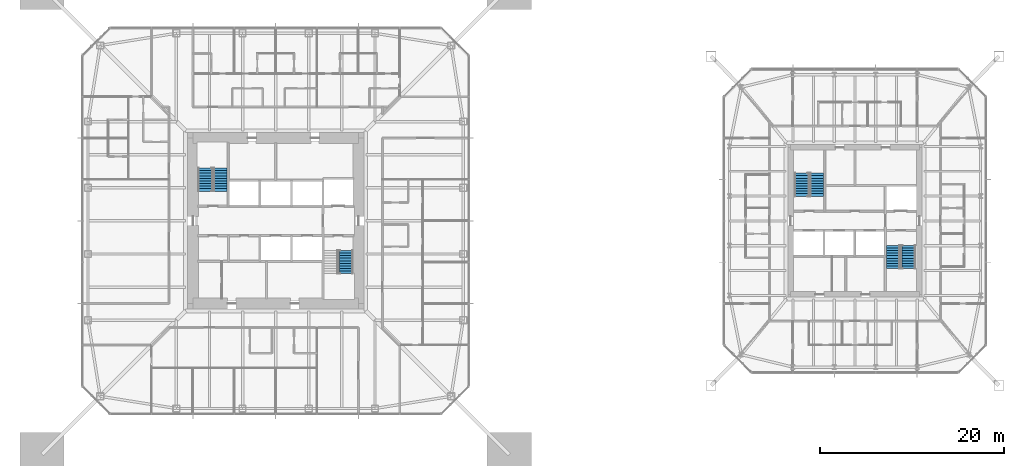
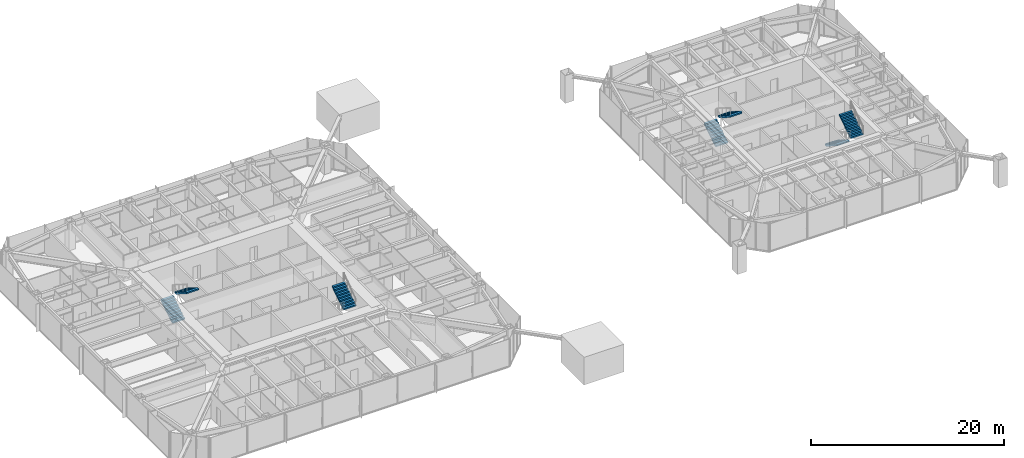
# One storey, part 20 of 25: 7 stair flights, 4 elements without a shape of their own.
"""IFC4 building model written with IfcOpenShell, lengths in metres."""

from ifc_helpers import new_model, si_unit, direction, frame, origin, place, context, subcontext, project, spatial, polyline, outline, extrude, material, constituent, constituent_set, type_object, element, aggregate, save


model = new_model("IFC4")

# Units and contexts
model_context = context("Model", 3, precision=1e-05, world=origin(), true_north=direction((0.0, 1.0)))
body_context = subcontext(model_context, "Body", "Model", "MODEL_VIEW")
ifc_project = project(units=[si_unit("LENGTHUNIT", "METRE"), si_unit("AREAUNIT", "SQUARE_METRE"), si_unit("VOLUMEUNIT", "CUBIC_METRE"), si_unit("PLANEANGLEUNIT", "RADIAN"), si_unit("MASSUNIT", "GRAM", prefix="KILO")], contexts=[model_context])

# Site, building, storey
site_placement = place(None, origin())
site = spatial("IfcSite", under=ifc_project, at=site_placement, CompositionType="ELEMENT")
building_placement = place(site_placement, origin())
building = spatial("IfcBuilding", under=site, at=building_placement, Name="Iwan Alto Co-Living Towers", CompositionType="ELEMENT")
storey_placement = place(building_placement, frame((0.0, 0.0, 119.0)))
storey = spatial("IfcBuildingStorey", under=building, at=storey_placement, Name="L32", CompositionType="ELEMENT", Elevation=119.0)

# Stair, stair flights
ifc_material_1 = material(Name="Steel ASTM A36", Category="steel")
ifc_constituent_1 = constituent(ifc_material_1, Name="Stringers", Category="LoadBearing")
ifc_material_2 = material(Name="Concrete f'c 30 MPa", Category="concrete")
ifc_constituent_2 = constituent(ifc_material_2, Name="Tread fill", Category="Finish")
ifc_constituent_set_1 = constituent_set(constituents=[ifc_constituent_1, ifc_constituent_2], Name="STAIR 3500 TWO-FLIGHT T1 CORE")
stair_type_1 = type_object("IfcStairType", Name="STAIR 3500 TWO-FLIGHT T1 CORE", PredefinedType="HALF_TURN_STAIR", material=ifc_constituent_set_1)
stair_1_placement = place(storey_placement, origin())
stair_1 = element("IfcStair", 1, at=stair_1_placement, inside=storey, type_object=stair_type_1, Name="Stair T1-S1 L32 to L33", PredefinedType="HALF_TURN_STAIR")
ifc_constituent_3 = constituent(ifc_material_1, Name="Stringers", Category="LoadBearing")
ifc_constituent_4 = constituent(ifc_material_2, Name="Tread fill", Category="Finish")
ifc_constituent_set_2 = constituent_set(constituents=[ifc_constituent_3, ifc_constituent_4], Name="STAIR FLIGHT 10 RISERS 280 GOING")
stair_flight_type = type_object("IfcStairFlightType", Name="STAIR FLIGHT 10 RISERS 280 GOING", PredefinedType="STRAIGHT", material=ifc_constituent_set_2)
stair_flight_1_placement = place(storey_placement, frame((-7.68994140625, 3.219970703125, 0.0), z_axis=(0.0, 0.0, 1.0), x_axis=(0.0, 1.0, 0.0)))
stair_flight_1 = element("IfcStairFlight", 2, at=stair_flight_1_placement, type_object=stair_flight_type, Name="T1-S1 flight 1", NumberOfRisers=10, NumberOfTreads=9, PredefinedType="STRAIGHT", RiserHeight=0.175, TreadLength=0.28, context=body_context, shape_type="SweptSolid", body=[
    extrude(outline(polyline([(0.0, 0.0), (0.0, 0.175048828125), (0.280029296875, 0.175048828125), (0.280029296875, 0.35009765625), (0.56005859375, 0.35009765625), (0.56005859375, 0.52490234375), (0.840087890625, 0.52490234375), (0.840087890625, 0.699951171875), (1.1201171875, 0.699951171875), (1.1201171875, 0.875), (1.39990234375, 0.875), (1.39990234375, 1.050048828125), (1.679931640625, 1.050048828125), (1.679931640625, 1.22509765625), (1.9599609375, 1.22509765625), (1.9599609375, 1.39990234375), (2.239990234375, 1.39990234375), (2.239990234375, 1.574951171875), (2.52001953125, 1.574951171875), (2.52001953125, 1.75), (2.52001953125, 1.398193359375), (0.28271484375, 0.0), (0.0, 0.0)])), frame((0.0, 0.739990234375, 0.0), z_axis=(0.0, -1.0, 0.0), x_axis=(1.0, 0.0, 0.0)), (0.0, 0.0, 1.0), 1.47998046875),
])
stair_flight_2_placement = place(storey_placement, frame((-6.010009765625, 5.739990234375, 1.75), z_axis=(0.0, 0.0, 1.0), x_axis=(0.0, -1.0, 0.0)))
stair_flight_2 = element("IfcStairFlight", 3, at=stair_flight_2_placement, type_object=stair_flight_type, Name="T1-S1 flight 2", NumberOfRisers=10, NumberOfTreads=9, PredefinedType="STRAIGHT", RiserHeight=0.175, TreadLength=0.28, context=body_context, shape_type="SweptSolid", body=[
    extrude(outline(polyline([(0.0, 0.0), (0.0, 0.175048828125), (0.280029296875, 0.175048828125), (0.280029296875, 0.35009765625), (0.56005859375, 0.35009765625), (0.56005859375, 0.52490234375), (0.840087890625, 0.52490234375), (0.840087890625, 0.699951171875), (1.1201171875, 0.699951171875), (1.1201171875, 0.875), (1.39990234375, 0.875), (1.39990234375, 1.050048828125), (1.679931640625, 1.050048828125), (1.679931640625, 1.22509765625), (1.9599609375, 1.22509765625), (1.9599609375, 1.39990234375), (2.239990234375, 1.39990234375), (2.239990234375, 1.574951171875), (2.52001953125, 1.574951171875), (2.52001953125, 1.75), (2.52001953125, 1.398193359375), (0.28271484375, 0.0), (0.0, 0.0)])), frame((0.0, 0.739990234375, 0.0), z_axis=(0.0, -1.0, 0.0), x_axis=(1.0, 0.0, 0.0)), (0.0, 0.0, 1.0), 1.47998046875),
])
aggregate(stair_1, [stair_flight_1, stair_flight_2])

# Stair, stair flight
stair_2_placement = place(storey_placement, origin())
stair_2 = element("IfcStair", 4, at=stair_2_placement, inside=storey, type_object=stair_type_1, Name="Stair T1-S2 L32 to L33", PredefinedType="HALF_TURN_STAIR")
stair_flight_3_placement = place(storey_placement, frame((7.68994140625, -5.739990234375, 1.75), z_axis=(0.0, 0.0, 1.0), x_axis=(0.0, 1.0, 0.0)))
stair_flight_3 = element("IfcStairFlight", 5, at=stair_flight_3_placement, type_object=stair_flight_type, Name="T1-S2 flight 2", NumberOfRisers=10, NumberOfTreads=9, PredefinedType="STRAIGHT", RiserHeight=0.175, TreadLength=0.28, context=body_context, shape_type="SweptSolid", body=[
    extrude(outline(polyline([(0.0, 0.0), (0.0, 0.175048828125), (0.280029296875, 0.175048828125), (0.280029296875, 0.35009765625), (0.56005859375, 0.35009765625), (0.56005859375, 0.52490234375), (0.840087890625, 0.52490234375), (0.840087890625, 0.699951171875), (1.1201171875, 0.699951171875), (1.1201171875, 0.875), (1.39990234375, 0.875), (1.39990234375, 1.050048828125), (1.679931640625, 1.050048828125), (1.679931640625, 1.22509765625), (1.9599609375, 1.22509765625), (1.9599609375, 1.39990234375), (2.239990234375, 1.39990234375), (2.239990234375, 1.574951171875), (2.52001953125, 1.574951171875), (2.52001953125, 1.75), (2.52001953125, 1.398193359375), (0.28271484375, 0.0), (0.0, 0.0)])), frame((0.0, 0.739990234375, 0.0), z_axis=(0.0, -1.0, 0.0), x_axis=(1.0, 0.0, 0.0)), (0.0, 0.0, 1.0), 1.47998046875),
])
aggregate(stair_2, [stair_flight_3])

# Stair, stair flights
ifc_constituent_5 = constituent(ifc_material_1, Name="Stringers", Category="LoadBearing")
ifc_constituent_6 = constituent(ifc_material_2, Name="Tread fill", Category="Finish")
ifc_constituent_set_3 = constituent_set(constituents=[ifc_constituent_5, ifc_constituent_6], Name="STAIR 3500 TWO-FLIGHT T2 CORE")
stair_type_2 = type_object("IfcStairType", Name="STAIR 3500 TWO-FLIGHT T2 CORE", PredefinedType="HALF_TURN_STAIR", material=ifc_constituent_set_3)
stair_3_placement = place(storey_placement, origin())
stair_3 = element("IfcStair", 6, at=stair_3_placement, inside=storey, type_object=stair_type_2, Name="Stair T2-S1 L32 to L33", PredefinedType="HALF_TURN_STAIR")
stair_flight_4_placement = place(storey_placement, frame((57.159912109375, 2.669921875, 0.0), z_axis=(0.0, 0.0, 1.0), x_axis=(0.0, 1.0, 0.0)))
stair_flight_4 = element("IfcStairFlight", 7, at=stair_flight_4_placement, type_object=stair_flight_type, Name="T2-S1 flight 1", NumberOfRisers=10, NumberOfTreads=9, PredefinedType="STRAIGHT", RiserHeight=0.175, TreadLength=0.28, context=body_context, shape_type="SweptSolid", body=[
    extrude(outline(polyline([(0.0, 0.0), (0.0, 0.175048828125), (0.280029296875, 0.175048828125), (0.280029296875, 0.35009765625), (0.56005859375, 0.35009765625), (0.56005859375, 0.52490234375), (0.840087890625, 0.52490234375), (0.840087890625, 0.699951171875), (1.1201171875, 0.699951171875), (1.1201171875, 0.875), (1.39990234375, 0.875), (1.39990234375, 1.050048828125), (1.679931640625, 1.050048828125), (1.679931640625, 1.22509765625), (1.9599609375, 1.22509765625), (1.9599609375, 1.39990234375), (2.239990234375, 1.39990234375), (2.239990234375, 1.574951171875), (2.52001953125, 1.574951171875), (2.52001953125, 1.75), (2.52001953125, 1.398193359375), (0.28271484375, 0.0), (0.0, 0.0)])), frame((0.0, 0.739990234375, 0.0), z_axis=(0.0, -1.0, 0.0), x_axis=(1.0, 0.0, 0.0)), (0.0, 0.0, 1.0), 1.47998046875),
])
stair_flight_5_placement = place(storey_placement, frame((58.840087890625, 5.18994140625, 1.75), z_axis=(0.0, 0.0, 1.0), x_axis=(0.0, -1.0, 0.0)))
stair_flight_5 = element("IfcStairFlight", 8, at=stair_flight_5_placement, type_object=stair_flight_type, Name="T2-S1 flight 2", NumberOfRisers=10, NumberOfTreads=9, PredefinedType="STRAIGHT", RiserHeight=0.175, TreadLength=0.28, context=body_context, shape_type="SweptSolid", body=[
    extrude(outline(polyline([(0.0, 0.0), (0.0, 0.175048828125), (0.280029296875, 0.175048828125), (0.280029296875, 0.35009765625), (0.56005859375, 0.35009765625), (0.56005859375, 0.52490234375), (0.840087890625, 0.52490234375), (0.840087890625, 0.699951171875), (1.1201171875, 0.699951171875), (1.1201171875, 0.875), (1.39990234375, 0.875), (1.39990234375, 1.050048828125), (1.679931640625, 1.050048828125), (1.679931640625, 1.22509765625), (1.9599609375, 1.22509765625), (1.9599609375, 1.39990234375), (2.239990234375, 1.39990234375), (2.239990234375, 1.574951171875), (2.52001953125, 1.574951171875), (2.52001953125, 1.75), (2.52001953125, 1.398193359375), (0.28271484375, 0.0), (0.0, 0.0)])), frame((0.0, 0.739990234375, 0.0), z_axis=(0.0, -1.0, 0.0), x_axis=(1.0, 0.0, 0.0)), (0.0, 0.0, 1.0), 1.47998046875),
])
aggregate(stair_3, [stair_flight_4, stair_flight_5])

stair_4_placement = place(storey_placement, origin())
stair_4 = element("IfcStair", 9, at=stair_4_placement, inside=storey, type_object=stair_type_2, Name="Stair T2-S2 L32 to L33", PredefinedType="HALF_TURN_STAIR")
stair_flight_6_placement = place(storey_placement, frame((67.159912109375, -2.669921875, 0.0), z_axis=(0.0, 0.0, 1.0), x_axis=(0.0, -1.0, 0.0)))
stair_flight_6 = element("IfcStairFlight", 10, at=stair_flight_6_placement, type_object=stair_flight_type, Name="T2-S2 flight 1", NumberOfRisers=10, NumberOfTreads=9, PredefinedType="STRAIGHT", RiserHeight=0.175, TreadLength=0.28, context=body_context, shape_type="SweptSolid", body=[
    extrude(outline(polyline([(0.0, 0.0), (0.0, 0.175048828125), (0.280029296875, 0.175048828125), (0.280029296875, 0.35009765625), (0.56005859375, 0.35009765625), (0.56005859375, 0.52490234375), (0.840087890625, 0.52490234375), (0.840087890625, 0.699951171875), (1.1201171875, 0.699951171875), (1.1201171875, 0.875), (1.39990234375, 0.875), (1.39990234375, 1.050048828125), (1.679931640625, 1.050048828125), (1.679931640625, 1.22509765625), (1.9599609375, 1.22509765625), (1.9599609375, 1.39990234375), (2.239990234375, 1.39990234375), (2.239990234375, 1.574951171875), (2.52001953125, 1.574951171875), (2.52001953125, 1.75), (2.52001953125, 1.398193359375), (0.28271484375, 0.0), (0.0, 0.0)])), frame((0.0, 0.739990234375, 0.0), z_axis=(0.0, -1.0, 0.0), x_axis=(1.0, 0.0, 0.0)), (0.0, 0.0, 1.0), 1.47998046875),
])
stair_flight_7_placement = place(storey_placement, frame((68.840087890625, -5.18994140625, 1.75), z_axis=(0.0, 0.0, 1.0), x_axis=(0.0, 1.0, 0.0)))
stair_flight_7 = element("IfcStairFlight", 11, at=stair_flight_7_placement, type_object=stair_flight_type, Name="T2-S2 flight 2", NumberOfRisers=10, NumberOfTreads=9, PredefinedType="STRAIGHT", RiserHeight=0.175, TreadLength=0.28, context=body_context, shape_type="SweptSolid", body=[
    extrude(outline(polyline([(0.0, 0.0), (0.0, 0.175048828125), (0.280029296875, 0.175048828125), (0.280029296875, 0.35009765625), (0.56005859375, 0.35009765625), (0.56005859375, 0.52490234375), (0.840087890625, 0.52490234375), (0.840087890625, 0.699951171875), (1.1201171875, 0.699951171875), (1.1201171875, 0.875), (1.39990234375, 0.875), (1.39990234375, 1.050048828125), (1.679931640625, 1.050048828125), (1.679931640625, 1.22509765625), (1.9599609375, 1.22509765625), (1.9599609375, 1.39990234375), (2.239990234375, 1.39990234375), (2.239990234375, 1.574951171875), (2.52001953125, 1.574951171875), (2.52001953125, 1.75), (2.52001953125, 1.398193359375), (0.28271484375, 0.0), (0.0, 0.0)])), frame((0.0, 0.739990234375, 0.0), z_axis=(0.0, -1.0, 0.0), x_axis=(1.0, 0.0, 0.0)), (0.0, 0.0, 1.0), 1.47998046875),
])
aggregate(stair_4, [stair_flight_6, stair_flight_7])

save(model, "model.ifc")
